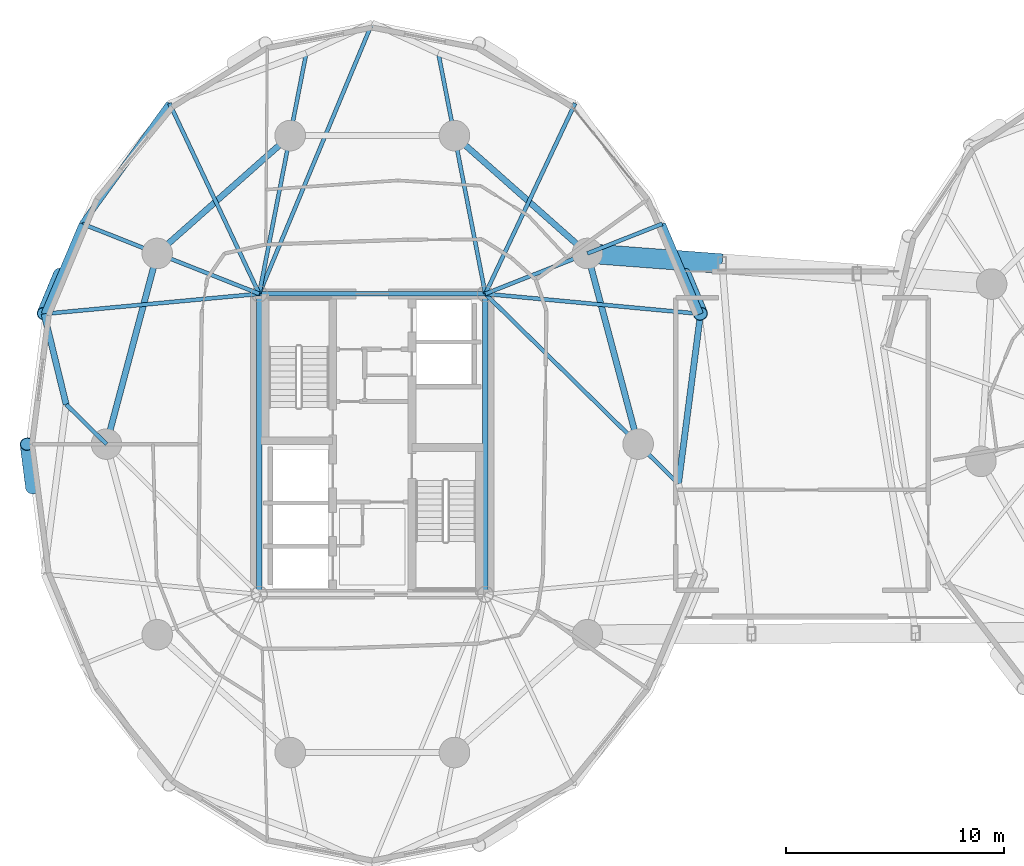
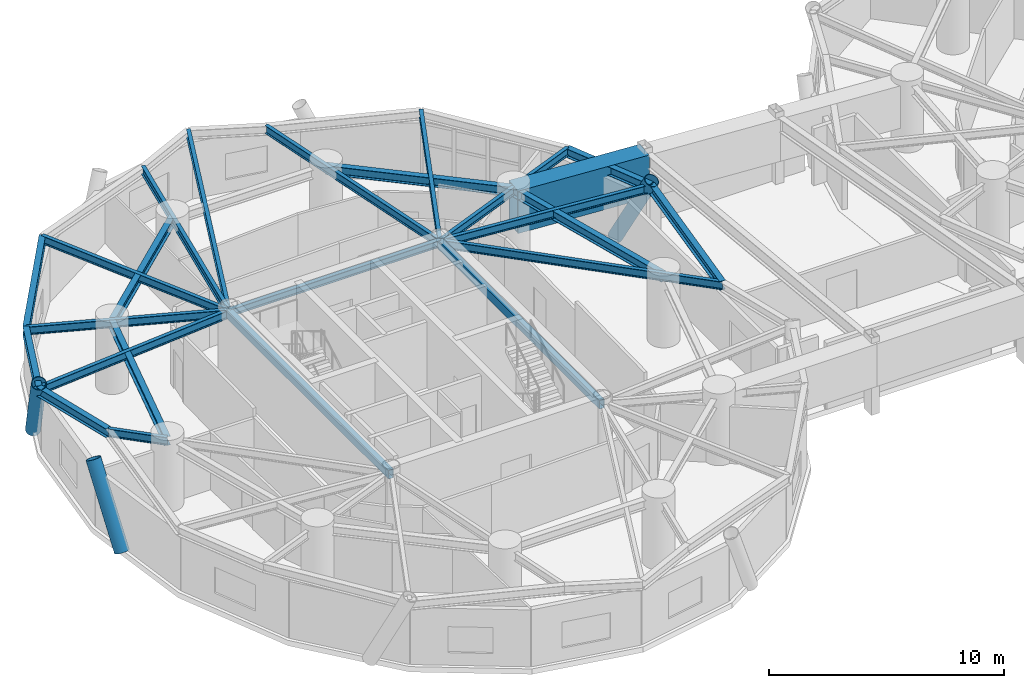
# One storey, part 2 of 17: 25 beams, 3 members.
"""IFC4 building model written with IfcOpenShell, lengths in metres."""

from ifc_helpers import new_model, si_unit, direction, frame, origin, origin_2d, place, context, subcontext, project, spatial, hollow_rectangle, hollow_circle, i_section, extrude, material, material_profile, profile_set, type_object, element, save


model = new_model("IFC4")

# Units and contexts
model_context = context("Model", 3, precision=1e-05, world=origin(), true_north=direction((0.0, 1.0)))
body_context = subcontext(model_context, "Body", "Model", "MODEL_VIEW")
ifc_project = project(units=[si_unit("LENGTHUNIT", "METRE"), si_unit("AREAUNIT", "SQUARE_METRE"), si_unit("VOLUMEUNIT", "CUBIC_METRE"), si_unit("PLANEANGLEUNIT", "RADIAN"), si_unit("MASSUNIT", "GRAM", prefix="KILO")], contexts=[model_context])

# Site, building, storey
site_placement = place(None, origin())
site = spatial("IfcSite", under=ifc_project, at=site_placement, CompositionType="ELEMENT")
building_placement = place(site_placement, origin())
building = spatial("IfcBuilding", under=site, at=building_placement, Name="Cununo Teusaquillo Station Towers", CompositionType="ELEMENT")
storey_placement = place(building_placement, frame((0.0, 0.0, 125.43994140625)))
storey = spatial("IfcBuildingStorey", under=building, at=storey_placement, Name="L40", CompositionType="ELEMENT", Elevation=125.43994140625)

# Beams
ifc_material_1 = material(Name="Steel EN 10025-2 S355J2", Category="steel")
ifc_material_profile_1 = material_profile(ifc_material_1, hollow_rectangle(XDim=0.25, YDim=0.449951171875, WallThickness=0.01611328125, at=origin_2d()), Name="RHS 450x250x16")
ifc_profile_set_1 = profile_set([ifc_material_profile_1], Name="Steel EN 10025-2 S355J2")
beam_type_1 = type_object("IfcBeamType", Name="BM-COUP-1", PredefinedType="USERDEFINED", material=ifc_profile_set_1)
for number, where, z_axis, x_axis, name in (
    (1, (11.324951171875, 17.6201171875, 3.215087890625), (0.0, 1.0, 0.0), (-1.0, 0.0, 0.0), "L40 Tower A Core Beam 1"),
    (2, (21.675048828125, 17.6201171875, 3.215087890625), (0.0, 1.0, 0.0), (-1.0, 0.0, 0.0), "L40 Tower A Core Beam 2"),
):
    element("IfcBeam", number, at=place(storey_placement, frame(where, z_axis=z_axis, x_axis=x_axis)), inside=storey, type_object=beam_type_1, Name=name, ObjectType="COUPLING BEAM", PredefinedType="USERDEFINED", context=body_context, shape_type="SweptSolid", body=[
        extrude(hollow_rectangle(XDim=0.25, YDim=0.449951171875, WallThickness=0.01611328125, at=origin_2d()), origin(), (0.0, 0.0, 1.0), 13.759765625),
    ])
ifc_material_2 = material(Name="Steel ASTM A572 Grade 50", Category="steel")
ifc_material_profile_2 = material_profile(ifc_material_2, i_section(OverallWidth=0.180908203125, OverallDepth=0.4169921875, WebThickness=0.010986328125, FlangeThickness=0.018310546875, FilletRadius=0.012939453125, at=origin_2d()), Name="W16X57")
ifc_profile_set_2 = profile_set([ifc_material_profile_2], Name="Steel ASTM A572 Grade 50")
beam_type_2 = type_object("IfcBeamType", Name="BM-JOIST-1", PredefinedType="JOIST", material=ifc_profile_set_2)
beam_1_placement = place(storey_placement, frame((21.675048828125, 31.3798828125, 3.2314453125), z_axis=(0.995678537907, -0.09286683558, 0.0), x_axis=(0.09286683558, 0.995678537907, 0.0)))
element("IfcBeam", 3, at=beam_1_placement, inside=storey, type_object=beam_type_2, Name="L40 Tower A Radial Spandrel Joist V01", PredefinedType="JOIST", context=body_context, shape_type="SweptSolid", body=[
    extrude(i_section(OverallWidth=0.180908203125, OverallDepth=0.4169921875, WebThickness=0.010986328125, FlangeThickness=0.018310546875, FilletRadius=0.012939453125, at=origin_2d()), origin(), (0.0, 0.0, 1.0), 9.895263671875),
])
beam_2_placement = place(storey_placement, frame((21.675048828125, 31.3798828125, 3.2314453125), z_axis=(0.426319838016, 0.904572493344, 0.0), x_axis=(-0.904572493344, 0.426319838016, 0.0)))
element("IfcBeam", 4, at=beam_2_placement, inside=storey, type_object=beam_type_2, Name="L40 Tower A Radial Spandrel Joist V03", PredefinedType="JOIST", context=body_context, shape_type="SweptSolid", body=[
    extrude(i_section(OverallWidth=0.180908203125, OverallDepth=0.4169921875, WebThickness=0.010986328125, FlangeThickness=0.018310546875, FilletRadius=0.012939453125, at=origin_2d()), origin(), (0.0, 0.0, 1.0), 9.646728515625),
])
beam_3_placement = place(storey_placement, frame((11.324951171875, 31.3798828125, 3.2314453125), z_axis=(0.38487837995, 0.922967297713, 0.0), x_axis=(-0.922967297713, 0.38487837995, 0.0)))
element("IfcBeam", 5, at=beam_3_placement, inside=storey, type_object=beam_type_2, Name="L40 Tower A Radial Spandrel Joist V05", PredefinedType="JOIST", context=body_context, shape_type="SweptSolid", body=[
    extrude(i_section(OverallWidth=0.180908203125, OverallDepth=0.4169921875, WebThickness=0.010986328125, FlangeThickness=0.018310546875, FilletRadius=0.012939453125, at=origin_2d()), origin(), (0.0, 0.0, 1.0), 13.446044921875),
])
beam_4_placement = place(storey_placement, frame((11.324951171875, 31.3798828125, 3.2314453125), z_axis=(-0.426319838016, 0.904572493344, 0.0), x_axis=(-0.904572493344, -0.426319838016, 0.0)))
element("IfcBeam", 6, at=beam_4_placement, inside=storey, type_object=beam_type_2, Name="L40 Tower A Radial Spandrel Joist V07", PredefinedType="JOIST", context=body_context, shape_type="SweptSolid", body=[
    extrude(i_section(OverallWidth=0.180908203125, OverallDepth=0.4169921875, WebThickness=0.010986328125, FlangeThickness=0.018310546875, FilletRadius=0.012939453125, at=origin_2d()), origin(), (0.0, 0.0, 1.0), 9.646728515625),
])
beam_5_placement = place(storey_placement, frame((11.324951171875, 31.3798828125, 3.2314453125), z_axis=(-0.995678537907, -0.09286683558, 0.0), x_axis=(0.09286683558, -0.995678537907, 0.0)))
element("IfcBeam", 7, at=beam_5_placement, inside=storey, type_object=beam_type_2, Name="L40 Tower A Radial Spandrel Joist V09", PredefinedType="JOIST", context=body_context, shape_type="SweptSolid", body=[
    extrude(i_section(OverallWidth=0.180908203125, OverallDepth=0.4169921875, WebThickness=0.010986328125, FlangeThickness=0.018310546875, FilletRadius=0.012939453125, at=origin_2d()), origin(), (0.0, 0.0, 1.0), 9.895263671875),
])
ifc_material_3 = material(Name="Steel ASTM A572 Grade 50", Category="steel")
ifc_material_profile_3 = material_profile(ifc_material_3, i_section(OverallWidth=0.2041015625, OverallDepth=0.35009765625, WebThickness=0.008544921875, FlangeThickness=0.01513671875, FilletRadius=0.011962890625, at=origin_2d()), Name="W14X48")
ifc_profile_set_3 = profile_set([ifc_material_profile_3], Name="Steel ASTM A572 Grade 50")
beam_type_3 = type_object("IfcBeamType", Name="BM-LINTEL-1", PredefinedType="LINTEL", material=ifc_profile_set_3)
beam_6_placement = place(storey_placement, frame((11.324951171875, 31.3798828125, 3.26513671875), z_axis=(1.0, 0.0, 0.0), x_axis=(0.0, 1.0, 0.0)))
element("IfcBeam", 8, at=beam_6_placement, inside=storey, type_object=beam_type_3, Name="L40 Tower A Core Beam 4", PredefinedType="LINTEL", context=body_context, shape_type="SweptSolid", body=[
    extrude(i_section(OverallWidth=0.2041015625, OverallDepth=0.35009765625, WebThickness=0.008544921875, FlangeThickness=0.01513671875, FilletRadius=0.011962890625, at=origin_2d()), origin(), (0.0, 0.0, 1.0), 10.35009765625),
])
ifc_material_4 = material(Name="Steel ASTM A572 Grade 50", Category="steel")
ifc_material_profile_4 = material_profile(ifc_material_4, i_section(OverallWidth=0.180908203125, OverallDepth=0.4169921875, WebThickness=0.010986328125, FlangeThickness=0.018310546875, FilletRadius=0.012939453125, at=origin_2d()), Name="W16X57")
ifc_profile_set_4 = profile_set([ifc_material_profile_4], Name="Steel ASTM A572 Grade 50")
beam_type_4 = type_object("IfcBeamType", Name="BM-RAD-G2", PredefinedType="BEAM", material=ifc_profile_set_4)
beam_7_placement = place(storey_placement, frame((21.675048828125, 31.3798828125, 3.2314453125), z_axis=(0.713047137857, -0.701116095375, 0.0), x_axis=(0.701116095375, 0.713047137857, 0.0)))
element("IfcBeam", 9, at=beam_7_placement, inside=storey, type_object=beam_type_4, Name="L40 Tower A Continuous Overhanging Radial Girder 01", PredefinedType="BEAM", context=body_context, shape_type="SweptSolid", body=[
    extrude(i_section(OverallWidth=0.180908203125, OverallDepth=0.4169921875, WebThickness=0.010986328125, FlangeThickness=0.018310546875, FilletRadius=0.012939453125, at=origin_2d()), origin(), (0.0, 0.0, 1.0), 12.400390625),
])
beam_8_placement = place(storey_placement, frame((21.675048828125, 31.3798828125, 3.2314453125), z_axis=(0.929864104313, 0.367903176814, 0.0), x_axis=(-0.367903176814, 0.929864104313, 0.0)))
element("IfcBeam", 10, at=beam_8_placement, inside=storey, type_object=beam_type_4, Name="L40 Tower A Radial Girder 02A", PredefinedType="BEAM", context=body_context, shape_type="SweptSolid", body=[
    extrude(i_section(OverallWidth=0.180908203125, OverallDepth=0.4169921875, WebThickness=0.010986328125, FlangeThickness=0.018310546875, FilletRadius=0.012939453125, at=origin_2d()), origin(), (0.0, 0.0, 1.0), 5.02490234375),
])
beam_9_placement = place(storey_placement, frame((26.347412109375, 33.228515625, 3.2314453125), z_axis=(0.929861788731, 0.367909029323, 0.0), x_axis=(-0.367909029323, 0.929861788731, 0.0)))
element("IfcBeam", 11, at=beam_9_placement, inside=storey, type_object=beam_type_4, Name="L40 Tower A Perimeter Overhang Girder 02B", PredefinedType="BEAM", context=body_context, shape_type="SweptSolid", body=[
    extrude(i_section(OverallWidth=0.180908203125, OverallDepth=0.4169921875, WebThickness=0.010986328125, FlangeThickness=0.018310546875, FilletRadius=0.012939453125, at=origin_2d()), origin(), (0.0, 0.0, 1.0), 3.690185546875),
])
for number, where, z_axis, x_axis, name in (
    (12, (21.675048828125, 31.3798828125, 3.2314453125), (-0.191552755713, 0.981482318628, 0.0), (-0.981482318628, -0.191552755713, 0.0), "L40 Tower A Continuous Overhanging Radial Girder 03"),
    (13, (11.324951171875, 31.3798828125, 3.2314453125), (0.191552755713, 0.981482318628, 0.0), (-0.981482318628, 0.191552755713, 0.0), "L40 Tower A Continuous Overhanging Radial Girder 04"),
):
    element("IfcBeam", number, at=place(storey_placement, frame(where, z_axis=z_axis, x_axis=x_axis)), inside=storey, type_object=beam_type_4, Name=name, PredefinedType="BEAM", context=body_context, shape_type="SweptSolid", body=[
        extrude(i_section(OverallWidth=0.180908203125, OverallDepth=0.4169921875, WebThickness=0.010986328125, FlangeThickness=0.018310546875, FilletRadius=0.012939453125, at=origin_2d()), origin(), (0.0, 0.0, 1.0), 11.22998046875),
    ])
beam_10_placement = place(storey_placement, frame((11.324951171875, 31.3798828125, 3.2314453125), z_axis=(-0.929863123823, 0.367905654963, 0.0), x_axis=(-0.367905654963, -0.929863123823, 0.0)))
element("IfcBeam", 14, at=beam_10_placement, inside=storey, type_object=beam_type_4, Name="L40 Tower A Continuous Overhanging Radial Girder 05", PredefinedType="BEAM", context=body_context, shape_type="SweptSolid", body=[
    extrude(i_section(OverallWidth=0.180908203125, OverallDepth=0.4169921875, WebThickness=0.010986328125, FlangeThickness=0.018310546875, FilletRadius=0.012939453125, at=origin_2d()), origin(), (0.0, 0.0, 1.0), 8.715087890625),
])
beam_11_placement = place(storey_placement, frame((4.327880859375, 24.5, 3.2314453125), z_axis=(-0.7130260383, 0.701137553342, 0.0), x_axis=(-0.701137553342, -0.7130260383, 0.0)))
element("IfcBeam", 15, at=beam_11_placement, inside=storey, type_object=beam_type_4, Name="L40 Tower A Perimeter Overhang Girder 06B", PredefinedType="BEAM", context=body_context, shape_type="SweptSolid", body=[
    extrude(i_section(OverallWidth=0.180908203125, OverallDepth=0.4169921875, WebThickness=0.010986328125, FlangeThickness=0.018310546875, FilletRadius=0.012939453125, at=origin_2d()), origin(), (0.0, 0.0, 1.0), 2.58740234375),
])
ifc_material_5 = material(Name="Steel ASTM A572 Grade 50", Category="steel")
ifc_material_profile_5 = material_profile(ifc_material_5, i_section(OverallWidth=0.280029296875, OverallDepth=0.462890625, WebThickness=0.0107421875, FlangeThickness=0.017333984375, FilletRadius=0.013916015625, at=origin_2d()), Name="W18X76")
ifc_profile_set_5 = profile_set([ifc_material_profile_5], Name="Steel ASTM A572 Grade 50")
beam_type_5 = type_object("IfcBeamType", Name="BM-RING-Z2", PredefinedType="SPANDREL", material=ifc_profile_set_5)
beam_12_placement = place(storey_placement, frame((28.672119140625, 24.5, 3.20849609375), z_axis=(-0.257363196347, 0.966314744359, 0.0), x_axis=(-0.966314744359, -0.257363196347, 0.0)))
element("IfcBeam", 16, at=beam_12_placement, inside=storey, type_object=beam_type_5, Name="L40 Tower A Structural Column Ring Girder 01", PredefinedType="SPANDREL", context=body_context, shape_type="SweptSolid", body=[
    extrude(i_section(OverallWidth=0.280029296875, OverallDepth=0.462890625, WebThickness=0.0107421875, FlangeThickness=0.017333984375, FilletRadius=0.013916015625, at=origin_2d()), origin(), (0.0, 0.0, 1.0), 9.03271484375),
])
for number, where, z_axis, x_axis, name in (
    (17, (26.347412109375, 33.228515625, 3.20849609375), (-0.74832120039, 0.66333655187, 0.0), (-0.66333655187, -0.74832120039, 0.0), "L40 Tower A Structural Column Ring Girder 02"),
    (18, (12.738525390625, 38.623291015625, 3.20849609375), (-0.74832120039, -0.66333655187, 0.0), (0.66333655187, -0.74832120039, 0.0), "L40 Tower A Structural Column Ring Girder 04"),
):
    element("IfcBeam", number, at=place(storey_placement, frame(where, z_axis=z_axis, x_axis=x_axis)), inside=storey, type_object=beam_type_5, Name=name, PredefinedType="SPANDREL", context=body_context, shape_type="SweptSolid", body=[
        extrude(i_section(OverallWidth=0.280029296875, OverallDepth=0.462890625, WebThickness=0.0107421875, FlangeThickness=0.017333984375, FilletRadius=0.013916015625, at=origin_2d()), origin(), (0.0, 0.0, 1.0), 8.1328125),
    ])
beam_13_placement = place(storey_placement, frame((6.652587890625, 33.228515625, 3.20849609375), z_axis=(-0.257363196347, -0.966314744359, 0.0), x_axis=(0.966314744359, -0.257363196347, 0.0)))
element("IfcBeam", 19, at=beam_13_placement, inside=storey, type_object=beam_type_5, Name="L40 Tower A Structural Column Ring Girder 05", PredefinedType="SPANDREL", context=body_context, shape_type="SweptSolid", body=[
    extrude(i_section(OverallWidth=0.280029296875, OverallDepth=0.462890625, WebThickness=0.0107421875, FlangeThickness=0.017333984375, FilletRadius=0.013916015625, at=origin_2d()), origin(), (0.0, 0.0, 1.0), 9.03271484375),
])
beam_14_placement = place(storey_placement, frame((30.51708984375, 22.685791015625, 3.20849609375), z_axis=(0.12888124113, 0.991660035337, 0.0), x_axis=(-0.991660035337, 0.12888124113, 0.0)))
element("IfcBeam", 20, at=beam_14_placement, inside=storey, type_object=beam_type_5, Name="L40 Tower A Spandrel Ring Beam 01", PredefinedType="SPANDREL", context=body_context, shape_type="SweptSolid", body=[
    extrude(i_section(OverallWidth=0.280029296875, OverallDepth=0.462890625, WebThickness=0.0107421875, FlangeThickness=0.017333984375, FilletRadius=0.013916015625, at=origin_2d()), origin(), (0.0, 0.0, 1.0), 7.840576171875),
])
beam_15_placement = place(storey_placement, frame((31.527587890625, 30.4609375, 3.20849609375), z_axis=(-0.390299356049, 0.920688010494, 0.0), x_axis=(-0.920688010494, -0.390299356049, 0.0)))
element("IfcBeam", 21, at=beam_15_placement, inside=storey, type_object=beam_type_5, Name="L40 Tower A Spandrel Ring Beam 02", PredefinedType="SPANDREL", context=body_context, shape_type="SweptSolid", body=[
    extrude(i_section(OverallWidth=0.280029296875, OverallDepth=0.462890625, WebThickness=0.0107421875, FlangeThickness=0.017333984375, FilletRadius=0.013916015625, at=origin_2d()), origin(), (0.0, 0.0, 1.0), 4.480712890625),
])
beam_16_placement = place(storey_placement, frame((7.21240234375, 40.10595703125, 3.20849609375), z_axis=(-0.58594455724, -0.810351143543, 0.0), x_axis=(0.810351143543, -0.58594455724, 0.0)))
element("IfcBeam", 22, at=beam_16_placement, inside=storey, type_object=beam_type_5, Name="L40 Tower A Spandrel Ring Beam 08", PredefinedType="SPANDREL", context=body_context, shape_type="SweptSolid", body=[
    extrude(i_section(OverallWidth=0.280029296875, OverallDepth=0.462890625, WebThickness=0.0107421875, FlangeThickness=0.017333984375, FilletRadius=0.013916015625, at=origin_2d()), origin(), (0.0, 0.0, 1.0), 6.8115234375),
])
beam_17_placement = place(storey_placement, frame((3.22119140625, 34.586181640625, 3.20849609375), z_axis=(-0.390299356049, -0.920688010494, 0.0), x_axis=(0.920688010494, -0.390299356049, 0.0)))
element("IfcBeam", 23, at=beam_17_placement, inside=storey, type_object=beam_type_5, Name="L40 Tower A Spandrel Ring Beam 09", PredefinedType="SPANDREL", context=body_context, shape_type="SweptSolid", body=[
    extrude(i_section(OverallWidth=0.280029296875, OverallDepth=0.462890625, WebThickness=0.0107421875, FlangeThickness=0.017333984375, FilletRadius=0.013916015625, at=origin_2d()), origin(), (0.0, 0.0, 1.0), 4.480712890625),
])
beam_18_placement = place(storey_placement, frame((1.472412109375, 30.4609375, 3.20849609375), z_axis=(0.236757334703, -0.971568816124, 0.0), x_axis=(0.971568816124, 0.236757334703, 0.0)))
element("IfcBeam", 24, at=beam_18_placement, inside=storey, type_object=beam_type_5, Name="L40 Tower A Spandrel Ring Beam 10", PredefinedType="SPANDREL", context=body_context, shape_type="SweptSolid", body=[
    extrude(i_section(OverallWidth=0.280029296875, OverallDepth=0.462890625, WebThickness=0.0107421875, FlangeThickness=0.017333984375, FilletRadius=0.013916015625, at=origin_2d()), origin(), (0.0, 0.0, 1.0), 4.26806640625),
])
ifc_material_6 = material(Name="Steel ASTM A572 Grade 50", Category="steel")
ifc_material_profile_6 = material_profile(ifc_material_6, hollow_rectangle(XDim=0.89990234375, YDim=2.199951171875, WallThickness=0.050048828125, at=origin_2d()), Name="BOX 2200x900x50")
ifc_profile_set_6 = profile_set([ifc_material_profile_6], Name="Steel ASTM A572 Grade 50")
beam_type_6 = type_object("IfcBeamType", Name="BM-XFER-BRG", PredefinedType="USERDEFINED", material=ifc_profile_set_6)
beam_19_placement = place(storey_placement, frame((26.347412109375, 33.228515625, 2.340087890625), z_axis=(0.997146155085, -0.075495333624, 0.0), x_axis=(0.075495333624, 0.997146155085, 0.0)))
element("IfcBeam", 25, at=beam_19_placement, inside=storey, type_object=beam_type_6, Name="L40 Mid-Bridge Chord N1", ObjectType="TRANSFER GIRDER", PredefinedType="USERDEFINED", context=body_context, shape_type="SweptSolid", body=[
    extrude(hollow_rectangle(XDim=0.89990234375, YDim=2.199951171875, WallThickness=0.050048828125, at=origin_2d()), origin(), (0.0, 0.0, 1.0), 6.186279296875),
])

# Members
ifc_material_7 = material(Name="Steel EN 10025-2 S355J2", Category="steel")
ifc_material_profile_7 = material_profile(ifc_material_7, hollow_circle(Radius=0.330078125, WallThickness=0.02490234375, at=origin_2d()), Name="CHS 660x25")
ifc_profile_set_7 = profile_set([ifc_material_profile_7], Name="Steel EN 10025-2 S355J2")
member_type = type_object("IfcMemberType", Name="MBR-DIAG-Z2", PredefinedType="BRACE", material=ifc_profile_set_7)
for number, where, z_axis, x_axis, name in (
    (26, (30.779541015625, 32.25341796875, -0.139892578125), (0.17825428596, -0.427135433263, 0.886442739938), (0.922861086318, 0.385132983993, 0.0), "L40 Tower A Folded-Zigzag Diagrid Tube C01"),
    (27, (2.220458984375, 32.25341796875, -0.139892578125), (-0.17825428596, -0.427135433263, 0.886442739938), (0.922861086318, -0.385132983993, 0.0), "L40 Tower A Folded-Zigzag Diagrid Tube C08"),
):
    element("IfcMember", number, at=place(storey_placement, frame(where, z_axis=z_axis, x_axis=x_axis)), inside=storey, type_object=member_type, Name=name, PredefinedType="BRACE", context=body_context, shape_type="SweptSolid", body=[
        extrude(hollow_circle(Radius=0.330078125, WallThickness=0.02490234375, at=origin_2d()), origin(), (0.0, 0.0, 1.0), 4.196533203125),
    ])
member_placement = place(storey_placement, frame((0.956787109375, 22.512939453125, -0.139892578125), z_axis=(-0.061016550395, 0.470278128471, 0.880406418911), x_axis=(-0.991687829619, -0.128667200894, 0.0)))
element("IfcMember", 28, at=member_placement, inside=storey, type_object=member_type, Name="L40 Tower A Folded-Zigzag Diagrid Tube C10", PredefinedType="BRACE", context=body_context, shape_type="SweptSolid", body=[
    extrude(hollow_circle(Radius=0.330078125, WallThickness=0.02490234375, at=origin_2d()), origin(), (0.0, 0.0, 1.0), 4.225341796875),
])

save(model, "model.ifc")
